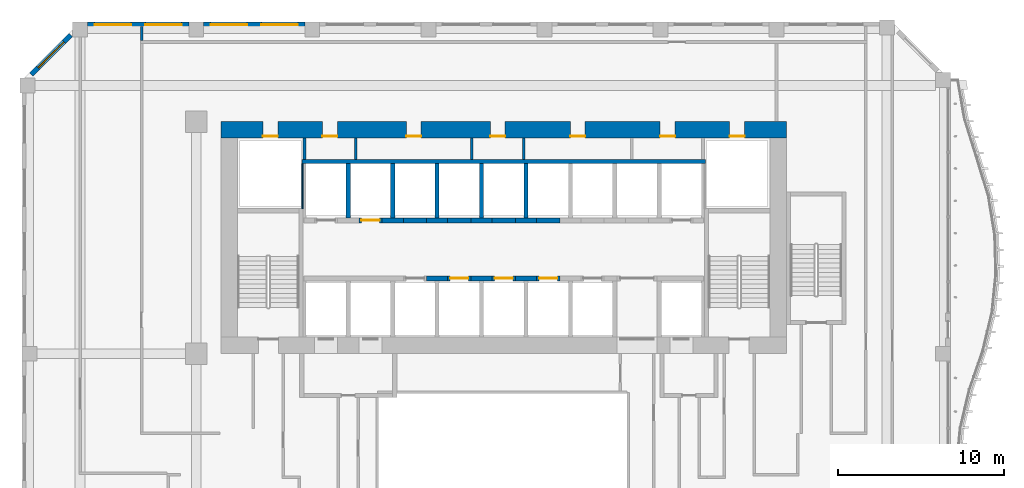
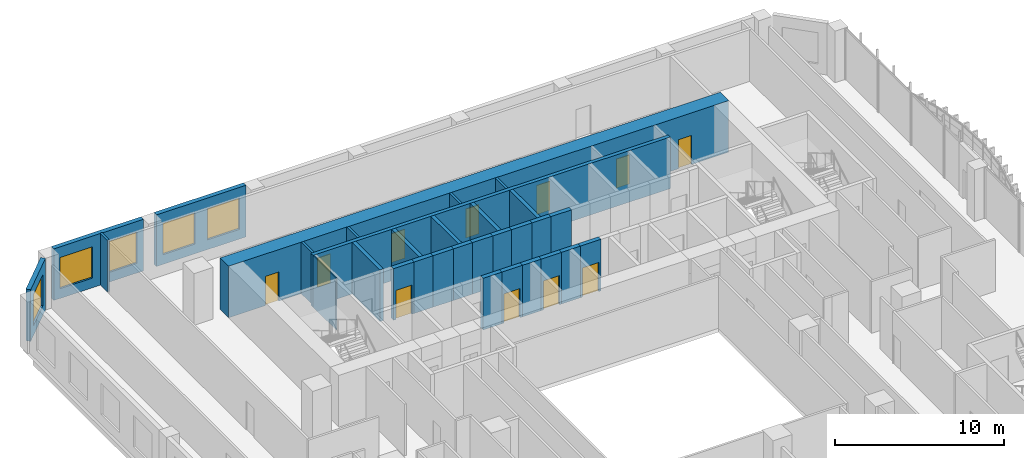
# One storey, part 13 of 25: 31 walls, 11 doors, 5 windows, 16 openings.
"""IFC4 building model written with IfcOpenShell, lengths in metres."""

from ifc_helpers import new_model, si_unit, direction, frame, frame_2d, origin, place, context, subcontext, project, spatial, rectangle, extrude, source, transform, mapped, material, layer, layer_set, type_object, element, fill, save


model = new_model("IFC4")

# Units and contexts
model_context = context("Model", 3, precision=1e-05, world=origin(), true_north=direction((0.0, 1.0)))
body_context = subcontext(model_context, "Body", "Model", "MODEL_VIEW")
ifc_project = project(units=[si_unit("LENGTHUNIT", "METRE"), si_unit("AREAUNIT", "SQUARE_METRE"), si_unit("VOLUMEUNIT", "CUBIC_METRE"), si_unit("PLANEANGLEUNIT", "RADIAN"), si_unit("MASSUNIT", "GRAM", prefix="KILO")], contexts=[model_context])

# Site, building, storey
site_placement = place(None, origin())
site = spatial("IfcSite", under=ifc_project, at=site_placement, CompositionType="ELEMENT")
building_placement = place(site_placement, origin())
building = spatial("IfcBuilding", under=site, at=building_placement, Name="Kilnfold Tower and Market Hall", CompositionType="ELEMENT")
storey_placement = place(building_placement, frame((0.0, 0.0, 39.0)))
storey = spatial("IfcBuildingStorey", under=building, at=storey_placement, Name="L08", CompositionType="ELEMENT", Elevation=39.0)

# Wall
ifc_material_1 = material(Name="Gypsum board on steel studs", Category="steel")
ifc_layer_1 = layer(ifc_material_1, 0.14990234375)
ifc_layer_set_1 = layer_set([ifc_layer_1], Name="Gypsum board on steel studs")
wall_type_1 = type_object("IfcWallType", Name="WALL CORRIDOR 150", PredefinedType="PARTITIONING", material=ifc_layer_set_1)
wall_1_placement = place(storey_placement, frame((-20.800048828125, 26.89111328125, 0.0), z_axis=(0.0, 0.0, 1.0), x_axis=(0.0, 1.0, 0.0)))
element("IfcWall", 1, at=wall_1_placement, inside=storey, type_object=wall_type_1, Name="Partition LY08.53", PredefinedType="PARTITIONING", context=body_context, shape_type="SweptSolid", body=[
    extrude(rectangle(XDim=0.85888671875, YDim=0.14990234375, at=frame_2d((0.429443359375, 0.0))), origin(), (0.0, 0.0, 1.0), 3.719970703125),
])

# Wall, openings, doors
ifc_material_2 = material(Name="Concrete C80", Category="concrete")
ifc_layer_2 = layer(ifc_material_2, 1.0)
ifc_layer_set_2 = layer_set([ifc_layer_2], Name="Concrete C80")
wall_type_2 = type_object("IfcWallType", Name="CORE WALL 1000 C80", PredefinedType="SHEAR", material=ifc_layer_set_2)
shared_shape_1 = source(origin(), body_context, "Body", "SweptSolid", [
    extrude(rectangle(XDim=34.10009765625, YDim=1.0, at=frame_2d((17.050048828125, 0.0))), origin(), (0.0, 0.0, 1.0), 3.719970703125),
])
wall_2_placement = place(storey_placement, frame((-16.0, 21.5, 0.0), z_axis=(0.0, 0.0, 1.0), x_axis=(1.0, 0.0, 0.0)))
wall_2 = element("IfcWall", 2, at=wall_2_placement, inside=storey, type_object=wall_type_2, Name="Core outer wall north", PredefinedType="SHEAR", context=body_context, shape_type="MappedRepresentation", body=[
    mapped(shared_shape_1, transform((0.0, 0.0, 0.0))),
])
opening_1_placement = place(wall_2_placement, frame((6.10791015625, 0.0, 0.0)))
opening_1 = element("IfcOpeningElement", 3, at=opening_1_placement, cuts=wall_2, Name="Opening KD1", PredefinedType="OPENING", context=body_context, shape_type="SweptSolid", body=[
    extrude(rectangle(XDim=0.89990234375, YDim=2.10009765625, at=frame_2d((0.449951171875, 1.050048828125))), frame((0.0, 0.510009765625, 0.0), z_axis=(0.0, -1.0, 0.0), x_axis=(1.0, 0.0, 0.0)), (0.0, 0.0, 1.0), 1.02001953125),
])
opening_2_placement = place(wall_2_placement, frame((11.173095703125, 0.0, 0.0)))
opening_2 = element("IfcOpeningElement", 4, at=opening_2_placement, cuts=wall_2, Name="Opening KD1", PredefinedType="OPENING", context=body_context, shape_type="SweptSolid", body=[
    extrude(rectangle(XDim=0.89990234375, YDim=2.10009765625, at=frame_2d((0.449951171875, 1.050048828125))), frame((0.0, 0.510009765625, 0.0), z_axis=(0.0, -1.0, 0.0), x_axis=(1.0, 0.0, 0.0)), (0.0, 0.0, 1.0), 1.02001953125),
])
opening_3_placement = place(wall_2_placement, frame((16.23828125, 0.0, 0.0)))
opening_3 = element("IfcOpeningElement", 5, at=opening_3_placement, cuts=wall_2, Name="Opening KD1", PredefinedType="OPENING", context=body_context, shape_type="SweptSolid", body=[
    extrude(rectangle(XDim=0.89990234375, YDim=2.10009765625, at=frame_2d((0.449951171875, 1.050048828125))), frame((0.0, 0.510009765625, 0.0), z_axis=(0.0, -1.0, 0.0), x_axis=(1.0, 0.0, 0.0)), (0.0, 0.0, 1.0), 1.02001953125),
])
opening_4_placement = place(wall_2_placement, frame((21.062255859375, 0.0, 0.0)))
opening_4 = element("IfcOpeningElement", 6, at=opening_4_placement, cuts=wall_2, Name="Opening KD1", PredefinedType="OPENING", context=body_context, shape_type="SweptSolid", body=[
    extrude(rectangle(XDim=0.89990234375, YDim=2.10009765625, at=frame_2d((0.449951171875, 1.050048828125))), frame((0.0, 0.510009765625, 0.0), z_axis=(0.0, -1.0, 0.0), x_axis=(1.0, 0.0, 0.0)), (0.0, 0.0, 1.0), 1.02001953125),
])
opening_5_placement = place(wall_2_placement, frame((26.4892578125, 0.0, 0.0)))
opening_5 = element("IfcOpeningElement", 7, at=opening_5_placement, cuts=wall_2, Name="Opening KD1", PredefinedType="OPENING", context=body_context, shape_type="SweptSolid", body=[
    extrude(rectangle(XDim=0.89990234375, YDim=2.10009765625, at=frame_2d((0.449951171875, 1.050048828125))), frame((0.0, 0.510009765625, 0.0), z_axis=(0.0, -1.0, 0.0), x_axis=(1.0, 0.0, 0.0)), (0.0, 0.0, 1.0), 1.02001953125),
])
opening_6_placement = place(wall_2_placement, frame((2.52490234375, 0.0, 0.0)))
opening_6 = element("IfcOpeningElement", 8, at=opening_6_placement, cuts=wall_2, Name="Opening KD1", PredefinedType="OPENING", context=body_context, shape_type="SweptSolid", body=[
    extrude(rectangle(XDim=0.89990234375, YDim=2.10009765625, at=frame_2d((0.449951171875, 1.050048828125))), frame((0.0, 0.510009765625, 0.0), z_axis=(0.0, -1.0, 0.0), x_axis=(1.0, 0.0, 0.0)), (0.0, 0.0, 1.0), 1.02001953125),
])
opening_7_placement = place(wall_2_placement, frame((30.675048828125, 0.0, 0.0)))
opening_7 = element("IfcOpeningElement", 9, at=opening_7_placement, cuts=wall_2, Name="Opening KD1", PredefinedType="OPENING", context=body_context, shape_type="SweptSolid", body=[
    extrude(rectangle(XDim=0.89990234375, YDim=2.10009765625, at=frame_2d((0.449951171875, 1.050048828125))), frame((0.0, 0.510009765625, 0.0), z_axis=(0.0, -1.0, 0.0), x_axis=(1.0, 0.0, 0.0)), (0.0, 0.0, 1.0), 1.02001953125),
])
ifc_material_3 = material(Name="Steel door set with fire-resisting leaf", Category="steel")
door_type_1 = type_object("IfcDoorType", Name="SERVICE DOOR 900X2100", OperationType="NOTDEFINED", PredefinedType="DOOR", material=ifc_material_3)
door_1_placement = place(opening_1_placement, origin())
door_1 = element("IfcDoor", 10, at=door_1_placement, inside=storey, type_object=door_type_1, Name="Core service door", OperationType="SINGLE_SWING_RIGHT", OverallHeight=2.10009765625, OverallWidth=0.89990234375, PredefinedType="DOOR", context=body_context, shape_type="SweptSolid", body=[
    extrude(rectangle(XDim=0.89990234375, YDim=2.10009765625, at=frame_2d((0.449951171875, 1.050048828125))), frame((0.0, -0.35498046875, 0.0), z_axis=(0.0, -1.0, 0.0), x_axis=(1.0, 0.0, 0.0)), (0.0, 0.0, 1.0), 0.050048828125),
])
fill(opening_1, door_1)
door_2_placement = place(opening_2_placement, origin())
door_2 = element("IfcDoor", 11, at=door_2_placement, inside=storey, type_object=door_type_1, Name="Core service door", OperationType="SINGLE_SWING_LEFT", OverallHeight=2.10009765625, OverallWidth=0.89990234375, PredefinedType="DOOR", context=body_context, shape_type="SweptSolid", body=[
    extrude(rectangle(XDim=0.89990234375, YDim=2.10009765625, at=frame_2d((0.449951171875, 1.050048828125))), frame((0.0, -0.35498046875, 0.0), z_axis=(0.0, -1.0, 0.0), x_axis=(1.0, 0.0, 0.0)), (0.0, 0.0, 1.0), 0.050048828125),
])
fill(opening_2, door_2)
door_3_placement = place(opening_3_placement, origin())
door_3 = element("IfcDoor", 12, at=door_3_placement, inside=storey, type_object=door_type_1, Name="Core service door", OperationType="SINGLE_SWING_RIGHT", OverallHeight=2.10009765625, OverallWidth=0.89990234375, PredefinedType="DOOR", context=body_context, shape_type="SweptSolid", body=[
    extrude(rectangle(XDim=0.89990234375, YDim=2.10009765625, at=frame_2d((0.449951171875, 1.050048828125))), frame((0.0, -0.35498046875, 0.0), z_axis=(0.0, -1.0, 0.0), x_axis=(1.0, 0.0, 0.0)), (0.0, 0.0, 1.0), 0.050048828125),
])
fill(opening_3, door_3)
door_4_placement = place(opening_4_placement, origin())
door_4 = element("IfcDoor", 13, at=door_4_placement, inside=storey, type_object=door_type_1, Name="Core service door", OperationType="SINGLE_SWING_LEFT", OverallHeight=2.10009765625, OverallWidth=0.89990234375, PredefinedType="DOOR", context=body_context, shape_type="SweptSolid", body=[
    extrude(rectangle(XDim=0.89990234375, YDim=2.10009765625, at=frame_2d((0.449951171875, 1.050048828125))), frame((0.0, -0.35498046875, 0.0), z_axis=(0.0, -1.0, 0.0), x_axis=(1.0, 0.0, 0.0)), (0.0, 0.0, 1.0), 0.050048828125),
])
fill(opening_4, door_4)
door_5_placement = place(opening_5_placement, origin())
door_5 = element("IfcDoor", 14, at=door_5_placement, inside=storey, type_object=door_type_1, Name="Core service door", OperationType="SINGLE_SWING_RIGHT", OverallHeight=2.10009765625, OverallWidth=0.89990234375, PredefinedType="DOOR", context=body_context, shape_type="SweptSolid", body=[
    extrude(rectangle(XDim=0.89990234375, YDim=2.10009765625, at=frame_2d((0.449951171875, 1.050048828125))), frame((0.0, -0.35498046875, 0.0), z_axis=(0.0, -1.0, 0.0), x_axis=(1.0, 0.0, 0.0)), (0.0, 0.0, 1.0), 0.050048828125),
])
fill(opening_5, door_5)
door_6_placement = place(opening_6_placement, origin())
door_6 = element("IfcDoor", 15, at=door_6_placement, inside=storey, type_object=door_type_1, Name="Electrical riser access door", OperationType="SINGLE_SWING_LEFT", OverallHeight=2.10009765625, OverallWidth=0.89990234375, PredefinedType="DOOR", context=body_context, shape_type="SweptSolid", body=[
    extrude(rectangle(XDim=0.89990234375, YDim=2.10009765625, at=frame_2d((0.449951171875, 1.050048828125))), frame((0.0, -0.35498046875, 0.0), z_axis=(0.0, -1.0, 0.0), x_axis=(1.0, 0.0, 0.0)), (0.0, 0.0, 1.0), 0.050048828125),
])
fill(opening_6, door_6)
door_7_placement = place(opening_7_placement, origin())
door_7 = element("IfcDoor", 16, at=door_7_placement, inside=storey, type_object=door_type_1, Name="Mechanical riser access door", OperationType="SINGLE_SWING_RIGHT", OverallHeight=2.10009765625, OverallWidth=0.89990234375, PredefinedType="DOOR", context=body_context, shape_type="SweptSolid", body=[
    extrude(rectangle(XDim=0.89990234375, YDim=2.10009765625, at=frame_2d((0.449951171875, 1.050048828125))), frame((0.0, -0.35498046875, 0.0), z_axis=(0.0, -1.0, 0.0), x_axis=(1.0, 0.0, 0.0)), (0.0, 0.0, 1.0), 0.050048828125),
])
fill(opening_7, door_7)

# Walls
ifc_material_4 = material(Name="Concrete C80", Category="concrete")
ifc_layer_3 = layer(ifc_material_4, 0.300048828125)
ifc_layer_set_3 = layer_set([ifc_layer_3], Name="Concrete C80")
wall_type_3 = type_object("IfcWallType", Name="CORE WALL 300 C80", PredefinedType="SHEAR", material=ifc_layer_set_3)
shared_shape_2 = source(origin(), body_context, "Body", "SweptSolid", [
    extrude(rectangle(XDim=1.280029296875, YDim=0.300048828125, at=frame_2d((0.64013671875, 0.0))), origin(), (0.0, 0.0, 1.0), 3.719970703125),
])
for number, where, z_axis, x_axis, name in (
    (17, (-3.610107421875, 12.550048828125, 0.0), (0.0, 0.0, 1.0), (1.0, 0.0, 0.0), "Core spine wall"),
    (18, (-0.929931640625, 12.550048828125, 0.0), (0.0, 0.0, 1.0), (1.0, 0.0, 0.0), "Core spine wall"),
    (19, (1.75, 12.550048828125, 0.0), (0.0, 0.0, 1.0), (1.0, 0.0, 0.0), "Core spine wall"),
    (20, (-6.2900390625, 16.050048828125, 0.0), (0.0, 0.0, 1.0), (1.0, 0.0, 0.0), "Core spine wall"),
    (21, (-3.610107421875, 16.050048828125, 0.0), (0.0, 0.0, 1.0), (1.0, 0.0, 0.0), "Core spine wall"),
    (22, (-0.929931640625, 16.050048828125, 0.0), (0.0, 0.0, 1.0), (1.0, 0.0, 0.0), "Core spine wall"),
    (23, (1.75, 16.050048828125, 0.0), (0.0, 0.0, 1.0), (1.0, 0.0, 0.0), "Core spine wall"),
):
    element("IfcWall", number, at=place(storey_placement, frame(where, z_axis=z_axis, x_axis=x_axis)), inside=storey, type_object=wall_type_3, Name=name, PredefinedType="SHEAR", context=body_context, shape_type="MappedRepresentation", body=[
        mapped(shared_shape_2, transform((0.0, 0.0, 0.0))),
    ])

# Wall, opening, window
ifc_material_5 = material(Name="Precast concrete C50/60", Category="concrete")
ifc_layer_4 = layer(ifc_material_5, 0.300048828125)
ifc_layer_set_4 = layer_set([ifc_layer_4], Name="Precast concrete C50/60")
wall_type_4 = type_object("IfcWallType", Name="PRECAST WALL 300", PredefinedType="SOLIDWALL", material=ifc_layer_set_4)
shared_shape_3 = source(origin(), body_context, "Body", "SweptSolid", [
    extrude(rectangle(XDim=3.35888671875, YDim=0.300048828125, at=frame_2d((1.679443359375, 0.0))), origin(), (0.0, 0.0, 1.0), 3.719970703125),
])
wall_3_placement = place(storey_placement, frame((-25.06884765625, 27.218994140625, 0.0), z_axis=(0.0, 0.0, 1.0), x_axis=(-0.707143122278, -0.707070438228, 0.0)))
wall_3 = element("IfcWall", 24, at=wall_3_placement, inside=storey, type_object=wall_type_4, Name="External wall L08 NW", PredefinedType="SOLIDWALL", context=body_context, shape_type="MappedRepresentation", body=[
    mapped(shared_shape_3, transform((0.0, 0.0, 0.0))),
])
opening_8_placement = place(wall_3_placement, frame((0.579345703125, 0.0, 0.699951171875)))
opening_8 = element("IfcOpeningElement", 25, at=opening_8_placement, cuts=wall_3, Name="Opening W1", PredefinedType="OPENING", context=body_context, shape_type="SweptSolid", body=[
    extrude(rectangle(XDim=2.199951171875, YDim=2.25, at=frame_2d((1.10009765625, 1.125))), frame((0.0, 0.16015625, 0.0), z_axis=(0.0, -1.0, 0.0), x_axis=(1.0, 0.0, 0.0)), (0.0, 0.0, 1.0), 0.320068359375),
])
ifc_material_6 = material(Name="Aluminium frame and double glazing", Category="aluminium")
window_type = type_object("IfcWindowType", Name="WINDOW W1 2200X2250", PartitioningType="SINGLE_PANEL", PredefinedType="WINDOW", material=ifc_material_6)
window_1_placement = place(opening_8_placement, origin())
window_1 = element("IfcWindow", 26, at=window_1_placement, inside=storey, type_object=window_type, Name="Window W1 L08 NW-1", OverallHeight=2.25, OverallWidth=2.199951171875, PartitioningType="SINGLE_PANEL", PredefinedType="WINDOW", context=body_context, shape_type="SweptSolid", body=[
    extrude(rectangle(XDim=2.199951171875, YDim=2.25, at=frame_2d((1.10009765625, 1.125))), frame((0.0, 0.030029296875, 0.0), z_axis=(0.0, -1.0, 0.0), x_axis=(1.0, 0.0, 0.0)), (0.0, 0.0, 1.0), 0.06005859375),
])
fill(opening_8, window_1)

# Wall, openings, windows
shared_shape_4 = source(origin(), body_context, "Body", "SweptSolid", [
    extrude(rectangle(XDim=6.10009765625, YDim=0.300048828125, at=frame_2d((3.050048828125, 0.0))), origin(), (0.0, 0.0, 1.0), 3.719970703125),
])
wall_4_placement = place(storey_placement, frame((-10.949951171875, 27.85009765625, 0.0), z_axis=(0.0, 0.0, 1.0), x_axis=(-1.0, 0.0, 0.0)))
wall_4 = element("IfcWall", 27, at=wall_4_placement, inside=storey, type_object=wall_type_4, Name="External wall L08 N", PredefinedType="SOLIDWALL", context=body_context, shape_type="MappedRepresentation", body=[
    mapped(shared_shape_4, transform((0.0, 0.0, 0.0))),
])
opening_9_placement = place(wall_4_placement, frame((0.425048828125, 0.0, 0.699951171875)))
opening_9 = element("IfcOpeningElement", 28, at=opening_9_placement, cuts=wall_4, Name="Opening W1", PredefinedType="OPENING", context=body_context, shape_type="SweptSolid", body=[
    extrude(rectangle(XDim=2.199951171875, YDim=2.25, at=frame_2d((1.10009765625, 1.125))), frame((0.0, 0.16015625, 0.0), z_axis=(0.0, -1.0, 0.0), x_axis=(1.0, 0.0, 0.0)), (0.0, 0.0, 1.0), 0.320068359375),
])
opening_10_placement = place(wall_4_placement, frame((3.47509765625, 0.0, 0.699951171875)))
opening_10 = element("IfcOpeningElement", 29, at=opening_10_placement, cuts=wall_4, Name="Opening W1", PredefinedType="OPENING", context=body_context, shape_type="SweptSolid", body=[
    extrude(rectangle(XDim=2.199951171875, YDim=2.25, at=frame_2d((1.10009765625, 1.125))), frame((0.0, 0.16015625, 0.0), z_axis=(0.0, -1.0, 0.0), x_axis=(1.0, 0.0, 0.0)), (0.0, 0.0, 1.0), 0.320068359375),
])
window_2_placement = place(opening_9_placement, origin())
window_2 = element("IfcWindow", 30, at=window_2_placement, inside=storey, type_object=window_type, Name="Window W1 L08 N-1", OverallHeight=2.25, OverallWidth=2.199951171875, PartitioningType="SINGLE_PANEL", PredefinedType="WINDOW", context=body_context, shape_type="SweptSolid", body=[
    extrude(rectangle(XDim=2.199951171875, YDim=2.25, at=frame_2d((1.10009765625, 1.125))), frame((0.0, 0.030029296875, 0.0), z_axis=(0.0, -1.0, 0.0), x_axis=(1.0, 0.0, 0.0)), (0.0, 0.0, 1.0), 0.06005859375),
])
fill(opening_9, window_2)
window_3_placement = place(opening_10_placement, origin())
window_3 = element("IfcWindow", 31, at=window_3_placement, inside=storey, type_object=window_type, Name="Window W1 L08 N-2", OverallHeight=2.25, OverallWidth=2.199951171875, PartitioningType="SINGLE_PANEL", PredefinedType="WINDOW", context=body_context, shape_type="SweptSolid", body=[
    extrude(rectangle(XDim=2.199951171875, YDim=2.25, at=frame_2d((1.10009765625, 1.125))), frame((0.0, 0.030029296875, 0.0), z_axis=(0.0, -1.0, 0.0), x_axis=(1.0, 0.0, 0.0)), (0.0, 0.0, 1.0), 0.06005859375),
])
fill(opening_10, window_3)

wall_5_placement = place(storey_placement, frame((-17.949951171875, 27.85009765625, 0.0), z_axis=(0.0, 0.0, 1.0), x_axis=(-1.0, 0.0, 0.0)))
wall_5 = element("IfcWall", 32, at=wall_5_placement, inside=storey, type_object=wall_type_4, Name="External wall L08 N", PredefinedType="SOLIDWALL", context=body_context, shape_type="MappedRepresentation", body=[
    mapped(shared_shape_4, transform((0.0, 0.0, 0.0))),
])
opening_11_placement = place(wall_5_placement, frame((0.425048828125, 0.0, 0.699951171875)))
opening_11 = element("IfcOpeningElement", 33, at=opening_11_placement, cuts=wall_5, Name="Opening W1", PredefinedType="OPENING", context=body_context, shape_type="SweptSolid", body=[
    extrude(rectangle(XDim=2.199951171875, YDim=2.25, at=frame_2d((1.10009765625, 1.125))), frame((0.0, 0.16015625, 0.0), z_axis=(0.0, -1.0, 0.0), x_axis=(1.0, 0.0, 0.0)), (0.0, 0.0, 1.0), 0.320068359375),
])
opening_12_placement = place(wall_5_placement, frame((3.47509765625, 0.0, 0.699951171875)))
opening_12 = element("IfcOpeningElement", 34, at=opening_12_placement, cuts=wall_5, Name="Opening W1", PredefinedType="OPENING", context=body_context, shape_type="SweptSolid", body=[
    extrude(rectangle(XDim=2.199951171875, YDim=2.25, at=frame_2d((1.10009765625, 1.125))), frame((0.0, 0.16015625, 0.0), z_axis=(0.0, -1.0, 0.0), x_axis=(1.0, 0.0, 0.0)), (0.0, 0.0, 1.0), 0.320068359375),
])
window_4_placement = place(opening_11_placement, origin())
window_4 = element("IfcWindow", 35, at=window_4_placement, inside=storey, type_object=window_type, Name="Window W1 L08 N-1", OverallHeight=2.25, OverallWidth=2.199951171875, PartitioningType="SINGLE_PANEL", PredefinedType="WINDOW", context=body_context, shape_type="SweptSolid", body=[
    extrude(rectangle(XDim=2.199951171875, YDim=2.25, at=frame_2d((1.10009765625, 1.125))), frame((0.0, 0.030029296875, 0.0), z_axis=(0.0, -1.0, 0.0), x_axis=(1.0, 0.0, 0.0)), (0.0, 0.0, 1.0), 0.06005859375),
])
fill(opening_11, window_4)
window_5_placement = place(opening_12_placement, origin())
window_5 = element("IfcWindow", 36, at=window_5_placement, inside=storey, type_object=window_type, Name="Window W1 L08 N-2", OverallHeight=2.25, OverallWidth=2.199951171875, PartitioningType="SINGLE_PANEL", PredefinedType="WINDOW", context=body_context, shape_type="SweptSolid", body=[
    extrude(rectangle(XDim=2.199951171875, YDim=2.25, at=frame_2d((1.10009765625, 1.125))), frame((0.0, 0.030029296875, 0.0), z_axis=(0.0, -1.0, 0.0), x_axis=(1.0, 0.0, 0.0)), (0.0, 0.0, 1.0), 0.06005859375),
])
fill(opening_12, window_5)

# Wall, opening, door
ifc_material_7 = material(Name="Gypsum shaft wall system")
ifc_layer_5 = layer(ifc_material_7, 0.300048828125)
ifc_layer_set_5 = layer_set([ifc_layer_5], Name="Gypsum shaft wall system")
wall_type_5 = type_object("IfcWallType", Name="SHAFT WALL 300", PredefinedType="PARTITIONING", material=ifc_layer_set_5)
shared_shape_5 = source(origin(), body_context, "Body", "SweptSolid", [
    extrude(rectangle(XDim=1.39990234375, YDim=0.300048828125, at=frame_2d((0.699951171875, 0.0))), origin(), (0.0, 0.0, 1.0), 3.719970703125),
])
wall_6_placement = place(storey_placement, frame((0.35009765625, 12.550048828125, 0.0), z_axis=(0.0, 0.0, 1.0), x_axis=(1.0, 0.0, 0.0)))
wall_6 = element("IfcWall", 37, at=wall_6_placement, inside=storey, type_object=wall_type_5, Name="Lift shaft front wall", PredefinedType="PARTITIONING", context=body_context, shape_type="MappedRepresentation", body=[
    mapped(shared_shape_5, transform((0.0, 0.0, 0.0))),
])
opening_13_placement = place(wall_6_placement, frame((0.14990234375, 0.0, 0.0)))
opening_13 = element("IfcOpeningElement", 38, at=opening_13_placement, cuts=wall_6, Name="Opening LD2", PredefinedType="OPENING", context=body_context, shape_type="SweptSolid", body=[
    extrude(rectangle(XDim=1.10009765625, YDim=2.10009765625, at=frame_2d((0.550048828125, 1.050048828125))), frame((0.0, 0.16015625, 0.0), z_axis=(0.0, -1.0, 0.0), x_axis=(1.0, 0.0, 0.0)), (0.0, 0.0, 1.0), 0.320068359375),
])
ifc_material_8 = material(Name="Steel door set with fire-resisting leaf", Category="steel")
door_type_2 = type_object("IfcDoorType", Name="LANDING DOOR 1100X2100", OperationType="NOTDEFINED", PredefinedType="DOOR", material=ifc_material_8)
door_8_placement = place(opening_13_placement, origin())
door_8 = element("IfcDoor", 39, at=door_8_placement, inside=storey, type_object=door_type_2, Name="Landing door LR3", OperationType="DOUBLE_DOOR_SLIDING", OverallHeight=2.10009765625, OverallWidth=1.10009765625, PredefinedType="DOOR", context=body_context, shape_type="SweptSolid", body=[
    extrude(rectangle(XDim=1.10009765625, YDim=2.10009765625, at=frame_2d((0.550048828125, 1.050048828125))), frame((0.0, 0.02490234375, 0.0), z_axis=(0.0, -1.0, 0.0), x_axis=(1.0, 0.0, 0.0)), (0.0, 0.0, 1.0), 0.050048828125),
])
fill(opening_13, door_8)

wall_7_placement = place(storey_placement, frame((3.030029296875, 12.550048828125, 0.0), z_axis=(0.0, 0.0, 1.0), x_axis=(1.0, 0.0, 0.0)))
wall_7 = element("IfcWall", 40, at=wall_7_placement, inside=storey, type_object=wall_type_5, Name="Lift shaft front wall", PredefinedType="PARTITIONING", context=body_context, shape_type="MappedRepresentation", body=[
    mapped(shared_shape_5, transform((0.0, 0.0, 0.0))),
])
opening_14_placement = place(wall_7_placement, frame((0.14990234375, 0.0, 0.0)))
opening_14 = element("IfcOpeningElement", 41, at=opening_14_placement, cuts=wall_7, Name="Opening LD2", PredefinedType="OPENING", context=body_context, shape_type="SweptSolid", body=[
    extrude(rectangle(XDim=1.10009765625, YDim=2.10009765625, at=frame_2d((0.550048828125, 1.050048828125))), frame((0.0, 0.16015625, 0.0), z_axis=(0.0, -1.0, 0.0), x_axis=(1.0, 0.0, 0.0)), (0.0, 0.0, 1.0), 0.320068359375),
])
door_9_placement = place(opening_14_placement, origin())
door_9 = element("IfcDoor", 42, at=door_9_placement, inside=storey, type_object=door_type_2, Name="Landing door LR4", OperationType="DOUBLE_DOOR_SLIDING", OverallHeight=2.10009765625, OverallWidth=1.10009765625, PredefinedType="DOOR", context=body_context, shape_type="SweptSolid", body=[
    extrude(rectangle(XDim=1.10009765625, YDim=2.10009765625, at=frame_2d((0.550048828125, 1.050048828125))), frame((0.0, 0.02490234375, 0.0), z_axis=(0.0, -1.0, 0.0), x_axis=(1.0, 0.0, 0.0)), (0.0, 0.0, 1.0), 0.050048828125),
])
fill(opening_14, door_9)

wall_8_placement = place(storey_placement, frame((-7.68994140625, 16.050048828125, 0.0), z_axis=(0.0, 0.0, 1.0), x_axis=(1.0, 0.0, 0.0)))
wall_8 = element("IfcWall", 43, at=wall_8_placement, inside=storey, type_object=wall_type_5, Name="Lift shaft front wall", PredefinedType="PARTITIONING", context=body_context, shape_type="MappedRepresentation", body=[
    mapped(shared_shape_5, transform((0.0, 0.0, 0.0))),
])
opening_15_placement = place(wall_8_placement, frame((0.14990234375, 0.0, 0.0)))
opening_15 = element("IfcOpeningElement", 44, at=opening_15_placement, cuts=wall_8, Name="Opening LD2", PredefinedType="OPENING", context=body_context, shape_type="SweptSolid", body=[
    extrude(rectangle(XDim=1.10009765625, YDim=2.10009765625, at=frame_2d((0.550048828125, 1.050048828125))), frame((0.0, 0.16015625, 0.0), z_axis=(0.0, -1.0, 0.0), x_axis=(1.0, 0.0, 0.0)), (0.0, 0.0, 1.0), 0.320068359375),
])
door_10_placement = place(opening_15_placement, origin())
door_10 = element("IfcDoor", 45, at=door_10_placement, inside=storey, type_object=door_type_2, Name="Landing door LR8", OperationType="DOUBLE_DOOR_SLIDING", OverallHeight=2.10009765625, OverallWidth=1.10009765625, PredefinedType="DOOR", context=body_context, shape_type="SweptSolid", body=[
    extrude(rectangle(XDim=1.10009765625, YDim=2.10009765625, at=frame_2d((0.550048828125, 1.050048828125))), frame((0.0, 0.02490234375, 0.0), z_axis=(0.0, -1.0, 0.0), x_axis=(1.0, 0.0, 0.0)), (0.0, 0.0, 1.0), 0.050048828125),
])
fill(opening_15, door_10)

# Walls
for number, where, z_axis, x_axis, name in (
    (46, (-5.010009765625, 16.050048828125, 0.0), (0.0, 0.0, 1.0), (1.0, 0.0, 0.0), "Lift shaft front wall"),
    (47, (0.35009765625, 16.050048828125, 0.0), (0.0, 0.0, 1.0), (1.0, 0.0, 0.0), "Lift shaft front wall"),
    (48, (3.030029296875, 16.050048828125, 0.0), (0.0, 0.0, 1.0), (1.0, 0.0, 0.0), "Lift shaft front wall"),
):
    element("IfcWall", number, at=place(storey_placement, frame(where, z_axis=z_axis, x_axis=x_axis)), inside=storey, type_object=wall_type_5, Name=name, PredefinedType="PARTITIONING", context=body_context, shape_type="MappedRepresentation", body=[
        mapped(shared_shape_5, transform((0.0, 0.0, 0.0))),
    ])

# Wall, opening, door
shared_shape_6 = source(origin(), body_context, "Body", "SweptSolid", [
    extrude(rectangle(XDim=1.400146484375, YDim=0.300048828125, at=frame_2d((0.7001953125, 0.0))), origin(), (0.0, 0.0, 1.0), 3.719970703125),
])
wall_9_placement = place(storey_placement, frame((-2.330078125, 12.550048828125, 0.0), z_axis=(0.0, 0.0, 1.0), x_axis=(1.0, 0.0, 0.0)))
wall_9 = element("IfcWall", 49, at=wall_9_placement, inside=storey, type_object=wall_type_5, Name="Lift shaft front wall", PredefinedType="PARTITIONING", context=body_context, shape_type="MappedRepresentation", body=[
    mapped(shared_shape_6, transform((0.0, 0.0, 0.0))),
])
opening_16_placement = place(wall_9_placement, frame((0.14990234375, 0.0, 0.0)))
opening_16 = element("IfcOpeningElement", 50, at=opening_16_placement, cuts=wall_9, Name="Opening LD2", PredefinedType="OPENING", context=body_context, shape_type="SweptSolid", body=[
    extrude(rectangle(XDim=1.10009765625, YDim=2.10009765625, at=frame_2d((0.550048828125, 1.050048828125))), frame((0.0, 0.16015625, 0.0), z_axis=(0.0, -1.0, 0.0), x_axis=(1.0, 0.0, 0.0)), (0.0, 0.0, 1.0), 0.320068359375),
])
door_11_placement = place(opening_16_placement, origin())
door_11 = element("IfcDoor", 51, at=door_11_placement, inside=storey, type_object=door_type_2, Name="Landing door LR2", OperationType="DOUBLE_DOOR_SLIDING", OverallHeight=2.10009765625, OverallWidth=1.10009765625, PredefinedType="DOOR", context=body_context, shape_type="SweptSolid", body=[
    extrude(rectangle(XDim=1.10009765625, YDim=2.10009765625, at=frame_2d((0.550048828125, 1.050048828125))), frame((0.0, 0.02490234375, 0.0), z_axis=(0.0, -1.0, 0.0), x_axis=(1.0, 0.0, 0.0)), (0.0, 0.0, 1.0), 0.050048828125),
])
fill(opening_16, door_11)

# Walls
wall_10_placement = place(storey_placement, frame((-2.330078125, 16.050048828125, 0.0), z_axis=(0.0, 0.0, 1.0), x_axis=(1.0, 0.0, 0.0)))
element("IfcWall", 52, at=wall_10_placement, inside=storey, type_object=wall_type_5, Name="Lift shaft front wall", PredefinedType="PARTITIONING", context=body_context, shape_type="MappedRepresentation", body=[
    mapped(shared_shape_6, transform((0.0, 0.0, 0.0))),
])
ifc_material_9 = material(Name="Gypsum shaft wall system")
ifc_layer_6 = layer(ifc_material_9, 0.25)
ifc_layer_set_6 = layer_set([ifc_layer_6], Name="Gypsum shaft wall system")
wall_type_6 = type_object("IfcWallType", Name="SHAFT WALL 250", PredefinedType="PARTITIONING", material=ifc_layer_set_6)
shared_shape_7 = source(origin(), body_context, "Body", "SweptSolid", [
    extrude(rectangle(XDim=24.3701171875, YDim=0.25, at=frame_2d((12.18505859375, 0.0))), origin(), (0.0, 0.0, 1.0), 3.719970703125),
])
wall_11_placement = place(storey_placement, frame((-11.135009765625, 19.60009765625, 0.0), z_axis=(0.0, 0.0, 1.0), x_axis=(1.0, 0.0, 0.0)))
element("IfcWall", 53, at=wall_11_placement, inside=storey, type_object=wall_type_6, Name="Lift shaft wall", PredefinedType="PARTITIONING", context=body_context, shape_type="MappedRepresentation", body=[
    mapped(shared_shape_7, transform((0.0, 0.0, 0.0))),
])
ifc_material_10 = material(Name="Gypsum shaft wall system")
ifc_layer_7 = layer(ifc_material_10, 0.1650390625)
ifc_layer_set_7 = layer_set([ifc_layer_7], Name="Gypsum shaft wall system")
wall_type_7 = type_object("IfcWallType", Name="SHAFT WALL 165", PredefinedType="PARTITIONING", material=ifc_layer_set_7)
shared_shape_8 = source(origin(), body_context, "Body", "SweptSolid", [
    extrude(rectangle(XDim=1.27490234375, YDim=0.1650390625, at=frame_2d((0.637451171875, 0.0))), origin(), (0.0, 0.0, 1.0), 3.719970703125),
])
wall_12_placement = place(storey_placement, frame((-10.967529296875, 19.72509765625, 0.0), z_axis=(0.0, 0.0, 1.0), x_axis=(0.0, 1.0, 0.0)))
element("IfcWall", 54, at=wall_12_placement, inside=storey, type_object=wall_type_7, Name="Lift shaft wall", PredefinedType="PARTITIONING", context=body_context, shape_type="MappedRepresentation", body=[
    mapped(shared_shape_8, transform((0.0, 0.0, 0.0))),
])
shared_shape_9 = source(origin(), body_context, "Body", "SweptSolid", [
    extrude(rectangle(XDim=3.275146484375, YDim=0.25, at=frame_2d((1.6376953125, 0.0))), origin(), (0.0, 0.0, 1.0), 3.719970703125),
])
for number, where, z_axis, x_axis, name in (
    (55, (2.389892578125, 16.199951171875, 0.0), (0.0, 0.0, 1.0), (0.0, 1.0, 0.0), "Lift shaft wall"),
    (56, (-0.2900390625, 16.199951171875, 0.0), (0.0, 0.0, 1.0), (0.0, 1.0, 0.0), "Lift shaft wall"),
    (57, (-2.969970703125, 16.199951171875, 0.0), (0.0, 0.0, 1.0), (0.0, 1.0, 0.0), "Lift shaft wall"),
    (58, (-5.64990234375, 16.199951171875, 0.0), (0.0, 0.0, 1.0), (0.0, 1.0, 0.0), "Lift shaft wall"),
    (59, (-8.330078125, 16.199951171875, 0.0), (0.0, 0.0, 1.0), (0.0, 1.0, 0.0), "Lift shaft wall"),
):
    element("IfcWall", number, at=place(storey_placement, frame(where, z_axis=z_axis, x_axis=x_axis)), inside=storey, type_object=wall_type_6, Name=name, PredefinedType="PARTITIONING", context=body_context, shape_type="MappedRepresentation", body=[
        mapped(shared_shape_9, transform((0.0, 0.0, 0.0))),
    ])
ifc_material_11 = material(Name="Gypsum shaft wall system")
ifc_layer_8 = layer(ifc_material_11, 0.0849609375)
ifc_layer_set_8 = layer_set([ifc_layer_8], Name="Gypsum shaft wall system")
wall_type_8 = type_object("IfcWallType", Name="SHAFT WALL 85", PredefinedType="PARTITIONING", material=ifc_layer_set_8)
shared_shape_10 = source(origin(), body_context, "Body", "SweptSolid", [
    extrude(rectangle(XDim=2.72509765625, YDim=0.0849609375, at=frame_2d((1.362548828125, 0.0))), origin(), (0.0, 0.0, 1.0), 3.719970703125),
])
wall_13_placement = place(storey_placement, frame((-11.092529296875, 16.75, 0.0), z_axis=(0.0, 0.0, 1.0), x_axis=(0.0, 1.0, 0.0)))
element("IfcWall", 60, at=wall_13_placement, inside=storey, type_object=wall_type_8, Name="Lift shaft wall", PredefinedType="PARTITIONING", context=body_context, shape_type="MappedRepresentation", body=[
    mapped(shared_shape_10, transform((0.0, 0.0, 0.0))),
])
ifc_material_12 = material(Name="Gypsum shaft wall system")
ifc_layer_9 = layer(ifc_material_12, 0.14990234375)
ifc_layer_set_9 = layer_set([ifc_layer_9], Name="Gypsum shaft wall system")
wall_type_9 = type_object("IfcWallType", Name="ROOM WALL 150", PredefinedType="PARTITIONING", material=ifc_layer_set_9)
shared_shape_11 = source(origin(), body_context, "Body", "SweptSolid", [
    extrude(rectangle(XDim=1.27490234375, YDim=0.14990234375, at=frame_2d((0.637451171875, 0.0))), origin(), (0.0, 0.0, 1.0), 3.719970703125),
])
for number, where, z_axis, x_axis, name in (
    (61, (-7.87451171875, 19.72509765625, 0.0), (0.0, 0.0, 1.0), (0.0, 1.0, 0.0), "Core room wall"),
    (62, (-0.879638671875, 19.72509765625, 0.0), (0.0, 0.0, 1.0), (0.0, 1.0, 0.0), "Core room wall"),
    (63, (2.256103515625, 19.72509765625, 0.0), (0.0, 0.0, 1.0), (0.0, 1.0, 0.0), "Core room wall"),
):
    element("IfcWall", number, at=place(storey_placement, frame(where, z_axis=z_axis, x_axis=x_axis)), inside=storey, type_object=wall_type_9, Name=name, PredefinedType="PARTITIONING", context=body_context, shape_type="MappedRepresentation", body=[
        mapped(shared_shape_11, transform((0.0, 0.0, 0.0))),
    ])

save(model, "model.ifc")
